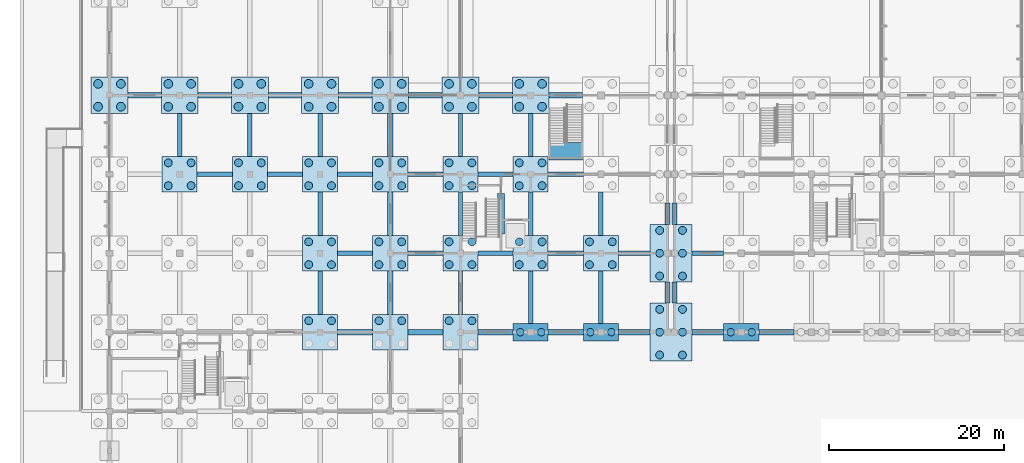
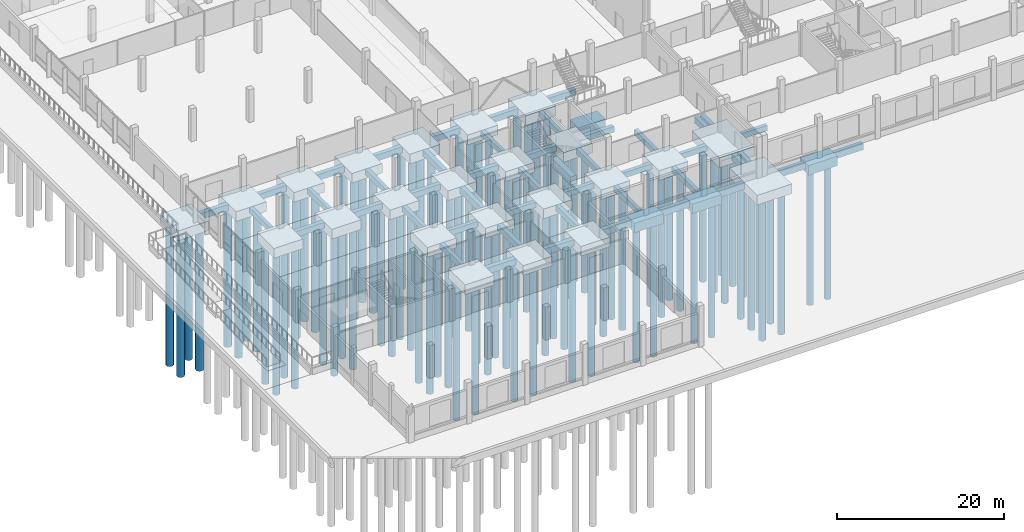
# One storey, part 2 of 72: 96 piles, 74 footings.
"""IFC4 building model written with IfcOpenShell, lengths in metres."""

from ifc_helpers import new_model, si_unit, direction, frame, origin, origin_2d, place, context, subcontext, project, spatial, rectangle, circle, extrude, material, material_profile, profile_set, type_object, element, save


model = new_model("IFC4")

# Units and contexts
model_context = context("Model", 3, precision=1e-05, world=origin(), true_north=direction((0.0, 1.0)))
body_context = subcontext(model_context, "Body", "Model", "MODEL_VIEW")
ifc_project = project(units=[si_unit("LENGTHUNIT", "METRE"), si_unit("AREAUNIT", "SQUARE_METRE"), si_unit("VOLUMEUNIT", "CUBIC_METRE"), si_unit("PLANEANGLEUNIT", "RADIAN"), si_unit("MASSUNIT", "GRAM", prefix="KILO"), si_unit("THERMODYNAMICTEMPERATUREUNIT", "KELVIN"), si_unit("POWERUNIT", "WATT")], contexts=[model_context])

# Site, building, storey
site_placement = place(None, origin())
site = spatial("IfcSite", under=ifc_project, at=site_placement, CompositionType="ELEMENT")
building_placement = place(site_placement, origin())
building = spatial("IfcBuilding", under=site, at=building_placement, Name="Kronsvod Quay Wholesale Market", CompositionType="ELEMENT")
storey_placement = place(building_placement, origin())
storey = spatial("IfcBuildingStorey", under=building, at=storey_placement, Name="L00", CompositionType="ELEMENT", Elevation=0.0)

# Footings
ifc_material_1 = material(Name="Concrete C35/45", Category="concrete")
footing_type_1 = type_object("IfcFootingType", Name="Cap_PC2B", PredefinedType="PILE_CAP", material=ifc_material_1)
for number, where, z_axis, x_axis, name in (
    (1, (48.0, 27.0, -2.64990234375), (0.0, 0.0, 1.0), (1.0, 0.0, 0.0), "CAP-097"),
    (2, (56.0, 27.0, -2.64990234375), (0.0, 0.0, 1.0), (1.0, 0.0, 0.0), "CAP-107"),
    (3, (72.0, 27.0, -2.64990234375), (0.0, 0.0, 1.0), (1.0, 0.0, 0.0), "CAP-117"),
):
    element("IfcFooting", number, at=place(storey_placement, frame(where, z_axis=z_axis, x_axis=x_axis)), inside=storey, type_object=footing_type_1, Name=name, PredefinedType="PILE_CAP", context=body_context, shape_type="SweptSolid", body=[
        extrude(rectangle(XDim=4.0, YDim=2.0, at=origin_2d()), origin(), (0.0, 0.0, 1.0), 1.39990234375),
    ])
ifc_material_2 = material(Name="Concrete C35/45", Category="concrete")
footing_type_2 = type_object("IfcFootingType", Name="Cap_PC4A", PredefinedType="PILE_CAP", material=ifc_material_2)
for number, where, z_axis, x_axis, name in (
    (4, (8.0, 45.0, -2.64990234375), (0.0, 0.0, 1.0), (1.0, 0.0, 0.0), "CAP-038"),
    (5, (16.0, 45.0, -2.64990234375), (0.0, 0.0, 1.0), (1.0, 0.0, 0.0), "CAP-050"),
    (6, (24.0, 27.0, -2.64990234375), (0.0, 0.0, 1.0), (1.0, 0.0, 0.0), "CAP-060"),
    (7, (24.0, 36.0, -2.64990234375), (0.0, 0.0, 1.0), (1.0, 0.0, 0.0), "CAP-061"),
    (8, (24.0, 45.0, -2.64990234375), (0.0, 0.0, 1.0), (1.0, 0.0, 0.0), "CAP-062"),
    (9, (32.0, 27.0, -2.64990234375), (0.0, 0.0, 1.0), (1.0, 0.0, 0.0), "CAP-072"),
    (10, (32.0, 36.0, -2.64990234375), (0.0, 0.0, 1.0), (1.0, 0.0, 0.0), "CAP-073"),
    (11, (32.0, 45.0, -2.64990234375), (0.0, 0.0, 1.0), (1.0, 0.0, 0.0), "CAP-074"),
    (12, (40.0, 27.0, -2.64990234375), (0.0, 0.0, 1.0), (1.0, 0.0, 0.0), "CAP-086"),
    (13, (40.0, 36.0, -2.64990234375), (0.0, 0.0, 1.0), (1.0, 0.0, 0.0), "CAP-087"),
    (14, (40.0, 45.0, -2.64990234375), (0.0, 0.0, 1.0), (1.0, 0.0, 0.0), "CAP-088"),
    (15, (48.0, 36.0, -2.64990234375), (0.0, 0.0, 1.0), (1.0, 0.0, 0.0), "CAP-098"),
    (16, (48.0, 45.0, -2.64990234375), (0.0, 0.0, 1.0), (1.0, 0.0, 0.0), "CAP-099"),
    (17, (56.0, 36.0, -2.64990234375), (0.0, 0.0, 1.0), (1.0, 0.0, 0.0), "CAP-108"),
):
    element("IfcFooting", number, at=place(storey_placement, frame(where, z_axis=z_axis, x_axis=x_axis)), inside=storey, type_object=footing_type_2, Name=name, PredefinedType="PILE_CAP", context=body_context, shape_type="SweptSolid", body=[
        extrude(rectangle(XDim=4.0, YDim=4.0, at=origin_2d()), origin(), (0.0, 0.0, 1.0), 1.39990234375),
    ])
ifc_material_3 = material(Name="Concrete C35/45", Category="concrete")
footing_type_3 = type_object("IfcFootingType", Name="Cap_PC4B", PredefinedType="PILE_CAP", material=ifc_material_3)
for number, where, z_axis, x_axis, name in (
    (18, (0.0, 54.0, -2.64990234375), (0.0, 0.0, 1.0), (1.0, 0.0, 0.0), "CAP-027"),
    (19, (8.0, 54.0, -2.64990234375), (0.0, 0.0, 1.0), (1.0, 0.0, 0.0), "CAP-039"),
    (20, (16.0, 54.0, -2.64990234375), (0.0, 0.0, 1.0), (1.0, 0.0, 0.0), "CAP-051"),
    (21, (24.0, 54.0, -2.64990234375), (0.0, 0.0, 1.0), (1.0, 0.0, 0.0), "CAP-063"),
    (22, (32.0, 54.0, -2.64990234375), (0.0, 0.0, 1.0), (1.0, 0.0, 0.0), "CAP-075"),
    (23, (40.0, 54.0, -2.64990234375), (0.0, 0.0, 1.0), (1.0, 0.0, 0.0), "CAP-089"),
    (24, (48.0, 54.0, -2.64990234375), (0.0, 0.0, 1.0), (1.0, 0.0, 0.0), "CAP-100"),
):
    element("IfcFooting", number, at=place(storey_placement, frame(where, z_axis=z_axis, x_axis=x_axis)), inside=storey, type_object=footing_type_3, Name=name, PredefinedType="PILE_CAP", context=body_context, shape_type="SweptSolid", body=[
        extrude(rectangle(XDim=4.199951171875, YDim=4.199951171875, at=origin_2d()), origin(), (0.0, 0.0, 1.0), 1.39990234375),
    ])
ifc_material_4 = material(Name="Concrete C35/45", Category="concrete")
footing_type_4 = type_object("IfcFootingType", Name="Cap_PC6J", PredefinedType="PILE_CAP", material=ifc_material_4)
for number, where, z_axis, x_axis, name in (
    (25, (64.0, 27.0, -2.64990234375), (0.0, 0.0, 1.0), (1.0, 0.0, 0.0), "CAP-J001"),
    (26, (64.0, 36.0, -2.64990234375), (0.0, 0.0, 1.0), (1.0, 0.0, 0.0), "CAP-J003"),
):
    element("IfcFooting", number, at=place(storey_placement, frame(where, z_axis=z_axis, x_axis=x_axis)), inside=storey, type_object=footing_type_4, Name=name, PredefinedType="PILE_CAP", context=body_context, shape_type="SweptSolid", body=[
        extrude(rectangle(XDim=4.800048828125, YDim=6.60009765625, at=origin_2d()), origin(), (0.0, 0.0, 1.0), 1.39990234375),
    ])
ifc_material_5 = material(Name="Concrete C35/45", Category="concrete")
ifc_material_profile_1 = material_profile(ifc_material_5, rectangle(XDim=0.5, YDim=0.800048828125, at=origin_2d()), Name="FB-01")
ifc_profile_set_1 = profile_set([ifc_material_profile_1], Name="Concrete C35/45")
footing_type_5 = type_object("IfcFootingType", Name="FootingBeam_500x800", PredefinedType="FOOTING_BEAM", material=ifc_profile_set_1)
for number, where, z_axis, x_axis, name in (
    (27, (26.0, 36.0, -1.64990234375), (1.0, 0.0, 0.0), (0.0, 1.0, 0.0), "FB-X-0027"),
    (28, (34.0, 36.0, -1.64990234375), (1.0, 0.0, 0.0), (0.0, 1.0, 0.0), "FB-X-0028"),
    (29, (42.0, 36.0, -1.64990234375), (1.0, 0.0, 0.0), (0.0, 1.0, 0.0), "FB-X-0029"),
    (30, (50.0, 36.0, -1.64990234375), (1.0, 0.0, 0.0), (0.0, 1.0, 0.0), "FB-X-0030"),
):
    element("IfcFooting", number, at=place(storey_placement, frame(where, z_axis=z_axis, x_axis=x_axis)), inside=storey, type_object=footing_type_5, Name=name, PredefinedType="FOOTING_BEAM", context=body_context, shape_type="SweptSolid", body=[
        extrude(rectangle(XDim=0.5, YDim=0.800048828125, at=origin_2d()), origin(), (0.0, 0.0, 1.0), 4.0),
    ])
footing_1_placement = place(storey_placement, frame((58.0, 36.0, -1.64990234375), z_axis=(1.0, 0.0, 0.0), x_axis=(0.0, 1.0, 0.0)))
element("IfcFooting", 31, at=footing_1_placement, inside=storey, type_object=footing_type_5, Name="FB-X-0031", PredefinedType="FOOTING_BEAM", context=body_context, shape_type="SweptSolid", body=[
    extrude(rectangle(XDim=0.5, YDim=0.800048828125, at=origin_2d()), origin(), (0.0, 0.0, 1.0), 3.60009765625),
])
for number, where, z_axis, x_axis, name in (
    (32, (8.0, 47.0, -1.64990234375), (0.0, 1.0, 0.0), (-1.0, 0.0, 0.0), "FB-Y-0111"),
    (33, (16.0, 47.0, -1.64990234375), (0.0, 1.0, 0.0), (-1.0, 0.0, 0.0), "FB-Y-0122"),
):
    element("IfcFooting", number, at=place(storey_placement, frame(where, z_axis=z_axis, x_axis=x_axis)), inside=storey, type_object=footing_type_5, Name=name, PredefinedType="FOOTING_BEAM", context=body_context, shape_type="SweptSolid", body=[
        extrude(rectangle(XDim=0.5, YDim=0.800048828125, at=origin_2d()), origin(), (0.0, 0.0, 1.0), 4.89990234375),
    ])
for number, where, z_axis, x_axis, name in (
    (34, (24.0, 29.0, -1.64990234375), (0.0, 1.0, 0.0), (-1.0, 0.0, 0.0), "FB-Y-0131"),
    (35, (24.0, 38.0, -1.64990234375), (0.0, 1.0, 0.0), (-1.0, 0.0, 0.0), "FB-Y-0132"),
):
    element("IfcFooting", number, at=place(storey_placement, frame(where, z_axis=z_axis, x_axis=x_axis)), inside=storey, type_object=footing_type_5, Name=name, PredefinedType="FOOTING_BEAM", context=body_context, shape_type="SweptSolid", body=[
        extrude(rectangle(XDim=0.5, YDim=0.800048828125, at=origin_2d()), origin(), (0.0, 0.0, 1.0), 5.0),
    ])
footing_2_placement = place(storey_placement, frame((24.0, 47.0, -1.64990234375), z_axis=(0.0, 1.0, 0.0), x_axis=(-1.0, 0.0, 0.0)))
element("IfcFooting", 36, at=footing_2_placement, inside=storey, type_object=footing_type_5, Name="FB-Y-0133", PredefinedType="FOOTING_BEAM", context=body_context, shape_type="SweptSolid", body=[
    extrude(rectangle(XDim=0.5, YDim=0.800048828125, at=origin_2d()), origin(), (0.0, 0.0, 1.0), 4.89990234375),
])
for number, where, z_axis, x_axis, name in (
    (37, (40.0, 29.0, -1.64990234375), (0.0, 1.0, 0.0), (-1.0, 0.0, 0.0), "FB-Y-0155"),
    (38, (40.0, 38.0, -1.64990234375), (0.0, 1.0, 0.0), (-1.0, 0.0, 0.0), "FB-Y-0156"),
):
    element("IfcFooting", number, at=place(storey_placement, frame(where, z_axis=z_axis, x_axis=x_axis)), inside=storey, type_object=footing_type_5, Name=name, PredefinedType="FOOTING_BEAM", context=body_context, shape_type="SweptSolid", body=[
        extrude(rectangle(XDim=0.5, YDim=0.800048828125, at=origin_2d()), origin(), (0.0, 0.0, 1.0), 5.0),
    ])
footing_3_placement = place(storey_placement, frame((40.0, 47.0, -1.64990234375), z_axis=(0.0, 1.0, 0.0), x_axis=(-1.0, 0.0, 0.0)))
element("IfcFooting", 39, at=footing_3_placement, inside=storey, type_object=footing_type_5, Name="FB-Y-0157", PredefinedType="FOOTING_BEAM", context=body_context, shape_type="SweptSolid", body=[
    extrude(rectangle(XDim=0.5, YDim=0.800048828125, at=origin_2d()), origin(), (0.0, 0.0, 1.0), 4.89990234375),
])
footing_4_placement = place(storey_placement, frame((48.0, 28.0, -1.64990234375), z_axis=(0.0, 1.0, 0.0), x_axis=(-1.0, 0.0, 0.0)))
element("IfcFooting", 40, at=footing_4_placement, inside=storey, type_object=footing_type_5, Name="FB-Y-0165", PredefinedType="FOOTING_BEAM", context=body_context, shape_type="SweptSolid", body=[
    extrude(rectangle(XDim=0.5, YDim=0.800048828125, at=origin_2d()), origin(), (0.0, 0.0, 1.0), 6.0),
])
footing_5_placement = place(storey_placement, frame((48.0, 38.0, -1.64990234375), z_axis=(0.0, 1.0, 0.0), x_axis=(-1.0, 0.0, 0.0)))
element("IfcFooting", 41, at=footing_5_placement, inside=storey, type_object=footing_type_5, Name="FB-Y-0166", PredefinedType="FOOTING_BEAM", context=body_context, shape_type="SweptSolid", body=[
    extrude(rectangle(XDim=0.5, YDim=0.800048828125, at=origin_2d()), origin(), (0.0, 0.0, 1.0), 5.0),
])
footing_6_placement = place(storey_placement, frame((48.0, 47.0, -1.64990234375), z_axis=(0.0, 1.0, 0.0), x_axis=(-1.0, 0.0, 0.0)))
element("IfcFooting", 42, at=footing_6_placement, inside=storey, type_object=footing_type_5, Name="FB-Y-0167", PredefinedType="FOOTING_BEAM", context=body_context, shape_type="SweptSolid", body=[
    extrude(rectangle(XDim=0.5, YDim=0.800048828125, at=origin_2d()), origin(), (0.0, 0.0, 1.0), 4.89990234375),
])
footing_7_placement = place(storey_placement, frame((56.0, 28.0, -1.64990234375), z_axis=(0.0, 1.0, 0.0), x_axis=(-1.0, 0.0, 0.0)))
element("IfcFooting", 43, at=footing_7_placement, inside=storey, type_object=footing_type_5, Name="FB-Y-0173", PredefinedType="FOOTING_BEAM", context=body_context, shape_type="SweptSolid", body=[
    extrude(rectangle(XDim=0.5, YDim=0.800048828125, at=origin_2d()), origin(), (0.0, 0.0, 1.0), 6.0),
])
footing_8_placement = place(storey_placement, frame((56.0, 38.0, -1.64990234375), z_axis=(0.0, 1.0, 0.0), x_axis=(-1.0, 0.0, 0.0)))
element("IfcFooting", 44, at=footing_8_placement, inside=storey, type_object=footing_type_5, Name="FB-Y-0174", PredefinedType="FOOTING_BEAM", context=body_context, shape_type="SweptSolid", body=[
    extrude(rectangle(XDim=0.5, YDim=0.800048828125, at=origin_2d()), origin(), (0.0, 0.0, 1.0), 5.0),
])
footing_9_placement = place(storey_placement, frame((66.39990234375, 36.0, -1.64990234375), z_axis=(1.0, 0.0, 0.0), x_axis=(0.0, 1.0, 0.0)))
element("IfcFooting", 45, at=footing_9_placement, inside=storey, type_object=footing_type_5, Name="FB-X-0197", PredefinedType="FOOTING_BEAM", context=body_context, shape_type="SweptSolid", body=[
    extrude(rectangle(XDim=0.5, YDim=0.800048828125, at=origin_2d()), origin(), (0.0, 0.0, 1.0), 3.60009765625),
])
ifc_material_6 = material(Name="Concrete C35/45", Category="concrete")
ifc_material_profile_2 = material_profile(ifc_material_6, rectangle(XDim=0.550048828125, YDim=0.85009765625, at=origin_2d()), Name="FB-03")
ifc_profile_set_2 = profile_set([ifc_material_profile_2], Name="Concrete C35/45")
footing_type_6 = type_object("IfcFootingType", Name="FootingBeam_550x850", PredefinedType="FOOTING_BEAM", material=ifc_profile_set_2)
for number, where, z_axis, x_axis, name in (
    (46, (10.0, 45.0, -1.675048828125), (1.0, 0.0, 0.0), (0.0, 1.0, 0.0), "FB-X-0033"),
    (47, (18.0, 45.0, -1.675048828125), (1.0, 0.0, 0.0), (0.0, 1.0, 0.0), "FB-X-0034"),
    (48, (26.0, 45.0, -1.675048828125), (1.0, 0.0, 0.0), (0.0, 1.0, 0.0), "FB-X-0035"),
    (49, (34.0, 45.0, -1.675048828125), (1.0, 0.0, 0.0), (0.0, 1.0, 0.0), "FB-X-0036"),
    (50, (42.0, 45.0, -1.675048828125), (1.0, 0.0, 0.0), (0.0, 1.0, 0.0), "FB-X-0037"),
    (51, (50.0, 45.0, -1.675048828125), (1.0, 0.0, 0.0), (0.0, 1.0, 0.0), "FB-X-0038"),
):
    element("IfcFooting", number, at=place(storey_placement, frame(where, z_axis=z_axis, x_axis=x_axis)), inside=storey, type_object=footing_type_6, Name=name, PredefinedType="FOOTING_BEAM", context=body_context, shape_type="SweptSolid", body=[
        extrude(rectangle(XDim=0.550048828125, YDim=0.85009765625, at=origin_2d()), origin(), (0.0, 0.0, 1.0), 4.0),
    ])
ifc_material_7 = material(Name="Concrete C35/45", Category="concrete")
ifc_material_profile_3 = material_profile(ifc_material_7, rectangle(XDim=0.60009765625, YDim=0.89990234375, at=origin_2d()), Name="FB-02")
ifc_profile_set_3 = profile_set([ifc_material_profile_3], Name="Concrete C35/45")
footing_type_7 = type_object("IfcFootingType", Name="FootingBeam_600x900", PredefinedType="FOOTING_BEAM", material=ifc_profile_set_3)
for number, where, z_axis, x_axis, name in (
    (52, (26.0, 27.0, -1.699951171875), (1.0, 0.0, 0.0), (0.0, 1.0, 0.0), "FB-X-0019"),
    (53, (34.0, 27.0, -1.699951171875), (1.0, 0.0, 0.0), (0.0, 1.0, 0.0), "FB-X-0020"),
    (54, (42.0, 27.0, -1.699951171875), (1.0, 0.0, 0.0), (0.0, 1.0, 0.0), "FB-X-0021"),
    (55, (50.0, 27.0, -1.699951171875), (1.0, 0.0, 0.0), (0.0, 1.0, 0.0), "FB-X-0022"),
):
    element("IfcFooting", number, at=place(storey_placement, frame(where, z_axis=z_axis, x_axis=x_axis)), inside=storey, type_object=footing_type_7, Name=name, PredefinedType="FOOTING_BEAM", context=body_context, shape_type="SweptSolid", body=[
        extrude(rectangle(XDim=0.60009765625, YDim=0.89990234375, at=origin_2d()), origin(), (0.0, 0.0, 1.0), 4.0),
    ])
footing_10_placement = place(storey_placement, frame((58.0, 27.0, -1.699951171875), z_axis=(1.0, 0.0, 0.0), x_axis=(0.0, 1.0, 0.0)))
element("IfcFooting", 56, at=footing_10_placement, inside=storey, type_object=footing_type_7, Name="FB-X-0023", PredefinedType="FOOTING_BEAM", context=body_context, shape_type="SweptSolid", body=[
    extrude(rectangle(XDim=0.60009765625, YDim=0.89990234375, at=origin_2d()), origin(), (0.0, 0.0, 1.0), 3.60009765625),
])
for number, where, z_axis, x_axis, name in (
    (57, (2.10009765625, 54.0, -1.699951171875), (1.0, 0.0, 0.0), (0.0, 1.0, 0.0), "FB-X-0040"),
    (58, (10.10009765625, 54.0, -1.699951171875), (1.0, 0.0, 0.0), (0.0, 1.0, 0.0), "FB-X-0041"),
    (59, (18.10009765625, 54.0, -1.699951171875), (1.0, 0.0, 0.0), (0.0, 1.0, 0.0), "FB-X-0042"),
    (60, (26.10009765625, 54.0, -1.699951171875), (1.0, 0.0, 0.0), (0.0, 1.0, 0.0), "FB-X-0043"),
    (61, (34.10009765625, 54.0, -1.699951171875), (1.0, 0.0, 0.0), (0.0, 1.0, 0.0), "FB-X-0044"),
    (62, (42.10009765625, 54.0, -1.699951171875), (1.0, 0.0, 0.0), (0.0, 1.0, 0.0), "FB-X-0045"),
    (63, (50.10009765625, 54.0, -1.699951171875), (1.0, 0.0, 0.0), (0.0, 1.0, 0.0), "FB-X-0046"),
):
    element("IfcFooting", number, at=place(storey_placement, frame(where, z_axis=z_axis, x_axis=x_axis)), inside=storey, type_object=footing_type_7, Name=name, PredefinedType="FOOTING_BEAM", context=body_context, shape_type="SweptSolid", body=[
        extrude(rectangle(XDim=0.60009765625, YDim=0.89990234375, at=origin_2d()), origin(), (0.0, 0.0, 1.0), 3.7998046875),
    ])
for number, where, z_axis, x_axis, name in (
    (64, (32.0, 29.0, -1.699951171875), (0.0, 1.0, 0.0), (-1.0, 0.0, 0.0), "FB-Y-0142"),
    (65, (32.0, 38.0, -1.699951171875), (0.0, 1.0, 0.0), (-1.0, 0.0, 0.0), "FB-Y-0143"),
):
    element("IfcFooting", number, at=place(storey_placement, frame(where, z_axis=z_axis, x_axis=x_axis)), inside=storey, type_object=footing_type_7, Name=name, PredefinedType="FOOTING_BEAM", context=body_context, shape_type="SweptSolid", body=[
        extrude(rectangle(XDim=0.60009765625, YDim=0.89990234375, at=origin_2d()), origin(), (0.0, 0.0, 1.0), 5.0),
    ])
footing_11_placement = place(storey_placement, frame((32.0, 47.0, -1.699951171875), z_axis=(0.0, 1.0, 0.0), x_axis=(-1.0, 0.0, 0.0)))
element("IfcFooting", 66, at=footing_11_placement, inside=storey, type_object=footing_type_7, Name="FB-Y-0144", PredefinedType="FOOTING_BEAM", context=body_context, shape_type="SweptSolid", body=[
    extrude(rectangle(XDim=0.60009765625, YDim=0.89990234375, at=origin_2d()), origin(), (0.0, 0.0, 1.0), 4.89990234375),
])
for number, where, z_axis, x_axis, name in (
    (67, (63.60009765625, 30.300048828125, -1.699951171875), (0.0, 1.0, 0.0), (-1.0, 0.0, 0.0), "FB-Y-0181"),
    (68, (63.60009765625, 39.300048828125, -1.699951171875), (0.0, 1.0, 0.0), (-1.0, 0.0, 0.0), "FB-Y-0182"),
):
    element("IfcFooting", number, at=place(storey_placement, frame(where, z_axis=z_axis, x_axis=x_axis)), inside=storey, type_object=footing_type_7, Name=name, PredefinedType="FOOTING_BEAM", context=body_context, shape_type="SweptSolid", body=[
        extrude(rectangle(XDim=0.60009765625, YDim=0.89990234375, at=origin_2d()), origin(), (0.0, 0.0, 1.0), 2.39990234375),
    ])
footing_12_placement = place(storey_placement, frame((66.39990234375, 27.0, -1.699951171875), z_axis=(1.0, 0.0, 0.0), x_axis=(0.0, 1.0, 0.0)))
element("IfcFooting", 69, at=footing_12_placement, inside=storey, type_object=footing_type_7, Name="FB-X-0189", PredefinedType="FOOTING_BEAM", context=body_context, shape_type="SweptSolid", body=[
    extrude(rectangle(XDim=0.60009765625, YDim=0.89990234375, at=origin_2d()), origin(), (0.0, 0.0, 1.0), 3.60009765625),
])
footing_13_placement = place(storey_placement, frame((74.0, 27.0, -1.699951171875), z_axis=(1.0, 0.0, 0.0), x_axis=(0.0, 1.0, 0.0)))
element("IfcFooting", 70, at=footing_13_placement, inside=storey, type_object=footing_type_7, Name="FB-X-0190", PredefinedType="FOOTING_BEAM", context=body_context, shape_type="SweptSolid", body=[
    extrude(rectangle(XDim=0.60009765625, YDim=0.89990234375, at=origin_2d()), origin(), (0.0, 0.0, 1.0), 4.0),
])
for number, where, z_axis, x_axis, name in (
    (71, (64.39990234375, 30.300048828125, -1.699951171875), (0.0, 1.0, 0.0), (-1.0, 0.0, 0.0), "FB-Y-0267"),
    (72, (64.39990234375, 39.300048828125, -1.699951171875), (0.0, 1.0, 0.0), (-1.0, 0.0, 0.0), "FB-Y-0268"),
):
    element("IfcFooting", number, at=place(storey_placement, frame(where, z_axis=z_axis, x_axis=x_axis)), inside=storey, type_object=footing_type_7, Name=name, PredefinedType="FOOTING_BEAM", context=body_context, shape_type="SweptSolid", body=[
        extrude(rectangle(XDim=0.60009765625, YDim=0.89990234375, at=origin_2d()), origin(), (0.0, 0.0, 1.0), 2.39990234375),
    ])
ifc_material_8 = material(Name="Concrete C35/45", Category="concrete")
footing_type_8 = type_object("IfcFootingType", Name="Pad_PF2", PredefinedType="PAD_FOOTING", material=ifc_material_8)
footing_14_placement = place(storey_placement, frame((52.0, 47.60009765625, -2.7001953125), z_axis=(0.0, 0.0, 1.0), x_axis=(1.0, 0.0, 0.0)))
element("IfcFooting", 73, at=footing_14_placement, inside=storey, type_object=footing_type_8, Name="ST-GAL-W1-FND", PredefinedType="PAD_FOOTING", context=body_context, shape_type="SweptSolid", body=[
    extrude(rectangle(XDim=3.800048828125, YDim=2.0, at=origin_2d()), origin(), (0.0, 0.0, 1.0), 1.449951171875),
])

# Piles
ifc_material_9 = material(Name="Concrete C35/45", Category="concrete")
ifc_material_profile_4 = material_profile(ifc_material_9, circle(Radius=0.5, at=origin_2d()), Name="PILE1000")
ifc_profile_set_4 = profile_set([ifc_material_profile_4], Name="Concrete C35/45")
pile_type_1 = type_object("IfcPileType", Name="Pile_PILE1000", PredefinedType="BORED", material=ifc_profile_set_4)
for number, where, z_axis, x_axis, name in (
    (74, (-1.300048828125, 52.699951171875, -2.64990234375), (0.0, 0.0, -1.0), (1.0, 0.0, 0.0), "PILE-0141"),
    (75, (-1.300048828125, 55.300048828125, -2.64990234375), (0.0, 0.0, -1.0), (1.0, 0.0, 0.0), "PILE-0142"),
    (76, (1.300048828125, 52.699951171875, -2.64990234375), (0.0, 0.0, -1.0), (1.0, 0.0, 0.0), "PILE-0143"),
    (77, (1.300048828125, 55.300048828125, -2.64990234375), (0.0, 0.0, -1.0), (1.0, 0.0, 0.0), "PILE-0144"),
    (78, (6.699951171875, 52.699951171875, -2.64990234375), (0.0, 0.0, -1.0), (1.0, 0.0, 0.0), "PILE-0185"),
    (79, (6.699951171875, 55.300048828125, -2.64990234375), (0.0, 0.0, -1.0), (1.0, 0.0, 0.0), "PILE-0186"),
    (80, (9.300048828125, 52.699951171875, -2.64990234375), (0.0, 0.0, -1.0), (1.0, 0.0, 0.0), "PILE-0187"),
    (81, (9.300048828125, 55.300048828125, -2.64990234375), (0.0, 0.0, -1.0), (1.0, 0.0, 0.0), "PILE-0188"),
    (82, (14.699951171875, 52.699951171875, -2.64990234375), (0.0, 0.0, -1.0), (1.0, 0.0, 0.0), "PILE-0229"),
    (83, (14.699951171875, 55.300048828125, -2.64990234375), (0.0, 0.0, -1.0), (1.0, 0.0, 0.0), "PILE-0230"),
    (84, (17.300048828125, 52.699951171875, -2.64990234375), (0.0, 0.0, -1.0), (1.0, 0.0, 0.0), "PILE-0231"),
    (85, (17.300048828125, 55.300048828125, -2.64990234375), (0.0, 0.0, -1.0), (1.0, 0.0, 0.0), "PILE-0232"),
    (86, (22.699951171875, 52.699951171875, -2.64990234375), (0.0, 0.0, -1.0), (1.0, 0.0, 0.0), "PILE-0271"),
    (87, (22.699951171875, 55.300048828125, -2.64990234375), (0.0, 0.0, -1.0), (1.0, 0.0, 0.0), "PILE-0272"),
    (88, (25.300048828125, 52.699951171875, -2.64990234375), (0.0, 0.0, -1.0), (1.0, 0.0, 0.0), "PILE-0273"),
    (89, (25.300048828125, 55.300048828125, -2.64990234375), (0.0, 0.0, -1.0), (1.0, 0.0, 0.0), "PILE-0274"),
    (90, (30.699951171875, 52.699951171875, -2.64990234375), (0.0, 0.0, -1.0), (1.0, 0.0, 0.0), "PILE-0313"),
    (91, (30.699951171875, 55.300048828125, -2.64990234375), (0.0, 0.0, -1.0), (1.0, 0.0, 0.0), "PILE-0314"),
    (92, (33.300048828125, 52.699951171875, -2.64990234375), (0.0, 0.0, -1.0), (1.0, 0.0, 0.0), "PILE-0315"),
    (93, (33.300048828125, 55.300048828125, -2.64990234375), (0.0, 0.0, -1.0), (1.0, 0.0, 0.0), "PILE-0316"),
    (94, (38.699951171875, 52.699951171875, -2.64990234375), (0.0, 0.0, -1.0), (1.0, 0.0, 0.0), "PILE-0365"),
    (95, (38.699951171875, 55.300048828125, -2.64990234375), (0.0, 0.0, -1.0), (1.0, 0.0, 0.0), "PILE-0366"),
    (96, (41.300048828125, 52.699951171875, -2.64990234375), (0.0, 0.0, -1.0), (1.0, 0.0, 0.0), "PILE-0367"),
    (97, (41.300048828125, 55.300048828125, -2.64990234375), (0.0, 0.0, -1.0), (1.0, 0.0, 0.0), "PILE-0368"),
    (98, (46.699951171875, 52.699951171875, -2.64990234375), (0.0, 0.0, -1.0), (1.0, 0.0, 0.0), "PILE-0405"),
    (99, (46.699951171875, 55.300048828125, -2.64990234375), (0.0, 0.0, -1.0), (1.0, 0.0, 0.0), "PILE-0406"),
    (100, (49.300048828125, 52.699951171875, -2.64990234375), (0.0, 0.0, -1.0), (1.0, 0.0, 0.0), "PILE-0407"),
    (101, (49.300048828125, 55.300048828125, -2.64990234375), (0.0, 0.0, -1.0), (1.0, 0.0, 0.0), "PILE-0408"),
):
    element("IfcPile", number, at=place(storey_placement, frame(where, z_axis=z_axis, x_axis=x_axis)), inside=storey, type_object=pile_type_1, Name=name, PredefinedType="BORED", context=body_context, shape_type="SweptSolid", body=[
        extrude(circle(Radius=0.5, at=origin_2d()), origin(), (0.0, 0.0, 1.0), 20.39990234375),
    ])
ifc_material_10 = material(Name="Concrete C35/45", Category="concrete")
ifc_material_profile_5 = material_profile(ifc_material_10, circle(Radius=0.425048828125, at=origin_2d()), Name="PILE850")
ifc_profile_set_5 = profile_set([ifc_material_profile_5], Name="Concrete C35/45")
pile_type_2 = type_object("IfcPileType", Name="Pile_PILE850", PredefinedType="BORED", material=ifc_profile_set_5)
for number, where, z_axis, x_axis, name in (
    (102, (46.800048828125, 27.0, -2.64990234375), (0.0, 0.0, -1.0), (1.0, 0.0, 0.0), "PILE-0395"),
    (103, (49.199951171875, 27.0, -2.64990234375), (0.0, 0.0, -1.0), (1.0, 0.0, 0.0), "PILE-0396"),
    (104, (54.800048828125, 27.0, -2.64990234375), (0.0, 0.0, -1.0), (1.0, 0.0, 0.0), "PILE-0433"),
    (105, (57.199951171875, 27.0, -2.64990234375), (0.0, 0.0, -1.0), (1.0, 0.0, 0.0), "PILE-0434"),
    (106, (70.800048828125, 27.0, -2.64990234375), (0.0, 0.0, -1.0), (1.0, 0.0, 0.0), "PILE-0471"),
    (107, (73.199951171875, 27.0, -2.64990234375), (0.0, 0.0, -1.0), (1.0, 0.0, 0.0), "PILE-0472"),
):
    element("IfcPile", number, at=place(storey_placement, frame(where, z_axis=z_axis, x_axis=x_axis)), inside=storey, type_object=pile_type_2, Name=name, PredefinedType="BORED", context=body_context, shape_type="SweptSolid", body=[
        extrude(circle(Radius=0.425048828125, at=origin_2d()), origin(), (0.0, 0.0, 1.0), 19.60009765625),
    ])
ifc_material_11 = material(Name="Concrete C35/45", Category="concrete")
ifc_material_profile_6 = material_profile(ifc_material_11, circle(Radius=0.449951171875, at=origin_2d()), Name="PILE900")
ifc_profile_set_6 = profile_set([ifc_material_profile_6], Name="Concrete C35/45")
pile_type_3 = type_object("IfcPileType", Name="Pile_PILE900", PredefinedType="BORED", material=ifc_profile_set_6)
for number, where, z_axis, x_axis, name in (
    (108, (62.699951171875, 24.39990234375, -2.64990234375), (0.0, 0.0, -1.0), (1.0, 0.0, 0.0), "PILE-0001"),
    (109, (62.699951171875, 27.0, -2.64990234375), (0.0, 0.0, -1.0), (1.0, 0.0, 0.0), "PILE-0002"),
    (110, (62.699951171875, 29.60009765625, -2.64990234375), (0.0, 0.0, -1.0), (1.0, 0.0, 0.0), "PILE-0003"),
    (111, (65.300048828125, 24.39990234375, -2.64990234375), (0.0, 0.0, -1.0), (1.0, 0.0, 0.0), "PILE-0004"),
    (112, (65.300048828125, 27.0, -2.64990234375), (0.0, 0.0, -1.0), (1.0, 0.0, 0.0), "PILE-0005"),
    (113, (65.300048828125, 29.60009765625, -2.64990234375), (0.0, 0.0, -1.0), (1.0, 0.0, 0.0), "PILE-0006"),
    (114, (62.699951171875, 33.39990234375, -2.64990234375), (0.0, 0.0, -1.0), (1.0, 0.0, 0.0), "PILE-0013"),
    (115, (62.699951171875, 36.0, -2.64990234375), (0.0, 0.0, -1.0), (1.0, 0.0, 0.0), "PILE-0014"),
    (116, (62.699951171875, 38.60009765625, -2.64990234375), (0.0, 0.0, -1.0), (1.0, 0.0, 0.0), "PILE-0015"),
    (117, (65.300048828125, 33.39990234375, -2.64990234375), (0.0, 0.0, -1.0), (1.0, 0.0, 0.0), "PILE-0016"),
    (118, (65.300048828125, 36.0, -2.64990234375), (0.0, 0.0, -1.0), (1.0, 0.0, 0.0), "PILE-0017"),
    (119, (65.300048828125, 38.60009765625, -2.64990234375), (0.0, 0.0, -1.0), (1.0, 0.0, 0.0), "PILE-0018"),
    (120, (6.699951171875, 43.699951171875, -2.64990234375), (0.0, 0.0, -1.0), (1.0, 0.0, 0.0), "PILE-0181"),
    (121, (6.699951171875, 46.300048828125, -2.64990234375), (0.0, 0.0, -1.0), (1.0, 0.0, 0.0), "PILE-0182"),
    (122, (9.300048828125, 43.699951171875, -2.64990234375), (0.0, 0.0, -1.0), (1.0, 0.0, 0.0), "PILE-0183"),
    (123, (9.300048828125, 46.300048828125, -2.64990234375), (0.0, 0.0, -1.0), (1.0, 0.0, 0.0), "PILE-0184"),
    (124, (14.699951171875, 43.699951171875, -2.64990234375), (0.0, 0.0, -1.0), (1.0, 0.0, 0.0), "PILE-0225"),
    (125, (14.699951171875, 46.300048828125, -2.64990234375), (0.0, 0.0, -1.0), (1.0, 0.0, 0.0), "PILE-0226"),
    (126, (17.300048828125, 43.699951171875, -2.64990234375), (0.0, 0.0, -1.0), (1.0, 0.0, 0.0), "PILE-0227"),
    (127, (17.300048828125, 46.300048828125, -2.64990234375), (0.0, 0.0, -1.0), (1.0, 0.0, 0.0), "PILE-0228"),
    (128, (22.699951171875, 28.300048828125, -2.64990234375), (0.0, 0.0, -1.0), (1.0, 0.0, 0.0), "PILE-0260"),
    (129, (25.300048828125, 28.300048828125, -2.64990234375), (0.0, 0.0, -1.0), (1.0, 0.0, 0.0), "PILE-0262"),
    (130, (22.699951171875, 34.699951171875, -2.64990234375), (0.0, 0.0, -1.0), (1.0, 0.0, 0.0), "PILE-0263"),
    (131, (22.699951171875, 37.300048828125, -2.64990234375), (0.0, 0.0, -1.0), (1.0, 0.0, 0.0), "PILE-0264"),
    (132, (25.300048828125, 34.699951171875, -2.64990234375), (0.0, 0.0, -1.0), (1.0, 0.0, 0.0), "PILE-0265"),
    (133, (25.300048828125, 37.300048828125, -2.64990234375), (0.0, 0.0, -1.0), (1.0, 0.0, 0.0), "PILE-0266"),
    (134, (22.699951171875, 43.699951171875, -2.64990234375), (0.0, 0.0, -1.0), (1.0, 0.0, 0.0), "PILE-0267"),
    (135, (22.699951171875, 46.300048828125, -2.64990234375), (0.0, 0.0, -1.0), (1.0, 0.0, 0.0), "PILE-0268"),
    (136, (25.300048828125, 43.699951171875, -2.64990234375), (0.0, 0.0, -1.0), (1.0, 0.0, 0.0), "PILE-0269"),
    (137, (25.300048828125, 46.300048828125, -2.64990234375), (0.0, 0.0, -1.0), (1.0, 0.0, 0.0), "PILE-0270"),
    (138, (30.699951171875, 28.300048828125, -2.64990234375), (0.0, 0.0, -1.0), (1.0, 0.0, 0.0), "PILE-0302"),
    (139, (33.300048828125, 28.300048828125, -2.64990234375), (0.0, 0.0, -1.0), (1.0, 0.0, 0.0), "PILE-0304"),
    (140, (30.699951171875, 34.699951171875, -2.64990234375), (0.0, 0.0, -1.0), (1.0, 0.0, 0.0), "PILE-0305"),
    (141, (30.699951171875, 37.300048828125, -2.64990234375), (0.0, 0.0, -1.0), (1.0, 0.0, 0.0), "PILE-0306"),
    (142, (33.300048828125, 34.699951171875, -2.64990234375), (0.0, 0.0, -1.0), (1.0, 0.0, 0.0), "PILE-0307"),
    (143, (33.300048828125, 37.300048828125, -2.64990234375), (0.0, 0.0, -1.0), (1.0, 0.0, 0.0), "PILE-0308"),
    (144, (30.699951171875, 43.699951171875, -2.64990234375), (0.0, 0.0, -1.0), (1.0, 0.0, 0.0), "PILE-0309"),
    (145, (30.699951171875, 46.300048828125, -2.64990234375), (0.0, 0.0, -1.0), (1.0, 0.0, 0.0), "PILE-0310"),
    (146, (33.300048828125, 43.699951171875, -2.64990234375), (0.0, 0.0, -1.0), (1.0, 0.0, 0.0), "PILE-0311"),
    (147, (33.300048828125, 46.300048828125, -2.64990234375), (0.0, 0.0, -1.0), (1.0, 0.0, 0.0), "PILE-0312"),
    (148, (38.699951171875, 28.300048828125, -2.64990234375), (0.0, 0.0, -1.0), (1.0, 0.0, 0.0), "PILE-0354"),
    (149, (41.300048828125, 28.300048828125, -2.64990234375), (0.0, 0.0, -1.0), (1.0, 0.0, 0.0), "PILE-0356"),
    (150, (38.699951171875, 34.699951171875, -2.64990234375), (0.0, 0.0, -1.0), (1.0, 0.0, 0.0), "PILE-0357"),
    (151, (38.699951171875, 37.300048828125, -2.64990234375), (0.0, 0.0, -1.0), (1.0, 0.0, 0.0), "PILE-0358"),
    (152, (41.300048828125, 34.699951171875, -2.64990234375), (0.0, 0.0, -1.0), (1.0, 0.0, 0.0), "PILE-0359"),
    (153, (41.300048828125, 37.300048828125, -2.64990234375), (0.0, 0.0, -1.0), (1.0, 0.0, 0.0), "PILE-0360"),
    (154, (38.699951171875, 43.699951171875, -2.64990234375), (0.0, 0.0, -1.0), (1.0, 0.0, 0.0), "PILE-0361"),
    (155, (38.699951171875, 46.300048828125, -2.64990234375), (0.0, 0.0, -1.0), (1.0, 0.0, 0.0), "PILE-0362"),
    (156, (41.300048828125, 43.699951171875, -2.64990234375), (0.0, 0.0, -1.0), (1.0, 0.0, 0.0), "PILE-0363"),
    (157, (41.300048828125, 46.300048828125, -2.64990234375), (0.0, 0.0, -1.0), (1.0, 0.0, 0.0), "PILE-0364"),
    (158, (46.699951171875, 34.699951171875, -2.64990234375), (0.0, 0.0, -1.0), (1.0, 0.0, 0.0), "PILE-0397"),
    (159, (46.699951171875, 37.300048828125, -2.64990234375), (0.0, 0.0, -1.0), (1.0, 0.0, 0.0), "PILE-0398"),
    (160, (49.300048828125, 34.699951171875, -2.64990234375), (0.0, 0.0, -1.0), (1.0, 0.0, 0.0), "PILE-0399"),
    (161, (49.300048828125, 37.300048828125, -2.64990234375), (0.0, 0.0, -1.0), (1.0, 0.0, 0.0), "PILE-0400"),
    (162, (46.699951171875, 43.699951171875, -2.64990234375), (0.0, 0.0, -1.0), (1.0, 0.0, 0.0), "PILE-0401"),
    (163, (46.699951171875, 46.300048828125, -2.64990234375), (0.0, 0.0, -1.0), (1.0, 0.0, 0.0), "PILE-0402"),
    (164, (49.300048828125, 43.699951171875, -2.64990234375), (0.0, 0.0, -1.0), (1.0, 0.0, 0.0), "PILE-0403"),
    (165, (49.300048828125, 46.300048828125, -2.64990234375), (0.0, 0.0, -1.0), (1.0, 0.0, 0.0), "PILE-0404"),
    (166, (54.699951171875, 34.699951171875, -2.64990234375), (0.0, 0.0, -1.0), (1.0, 0.0, 0.0), "PILE-0435"),
    (167, (54.699951171875, 37.300048828125, -2.64990234375), (0.0, 0.0, -1.0), (1.0, 0.0, 0.0), "PILE-0436"),
    (168, (57.300048828125, 34.699951171875, -2.64990234375), (0.0, 0.0, -1.0), (1.0, 0.0, 0.0), "PILE-0437"),
    (169, (57.300048828125, 37.300048828125, -2.64990234375), (0.0, 0.0, -1.0), (1.0, 0.0, 0.0), "PILE-0438"),
):
    element("IfcPile", number, at=place(storey_placement, frame(where, z_axis=z_axis, x_axis=x_axis)), inside=storey, type_object=pile_type_3, Name=name, PredefinedType="BORED", context=body_context, shape_type="SweptSolid", body=[
        extrude(circle(Radius=0.449951171875, at=origin_2d()), origin(), (0.0, 0.0, 1.0), 20.39990234375),
    ])

# Footing
ifc_material_12 = material(Name="Concrete C35/45", Category="concrete")
ifc_material_profile_7 = material_profile(ifc_material_12, rectangle(XDim=0.800048828125, YDim=1.199951171875, at=origin_2d()), Name="SF-01")
ifc_profile_set_7 = profile_set([ifc_material_profile_7], Name="Concrete C35/45")
footing_type_9 = type_object("IfcFootingType", Name="StripFooting_800x1200", PredefinedType="STRIP_FOOTING", material=ifc_profile_set_7)
footing_15_placement = place(storey_placement, frame((44.60009765625, 38.199951171875, -1.85009765625), z_axis=(0.0, 1.0, 0.0), x_axis=(-1.0, 0.0, 0.0)))
element("IfcFooting", 170, at=footing_15_placement, inside=storey, type_object=footing_type_9, Name="SF-C03-DIV", PredefinedType="STRIP_FOOTING", context=body_context, shape_type="SweptSolid", body=[
    extrude(rectangle(XDim=0.800048828125, YDim=1.199951171875, at=origin_2d()), origin(), (0.0, 0.0, 1.0), 4.60009765625),
])

save(model, "model.ifc")
